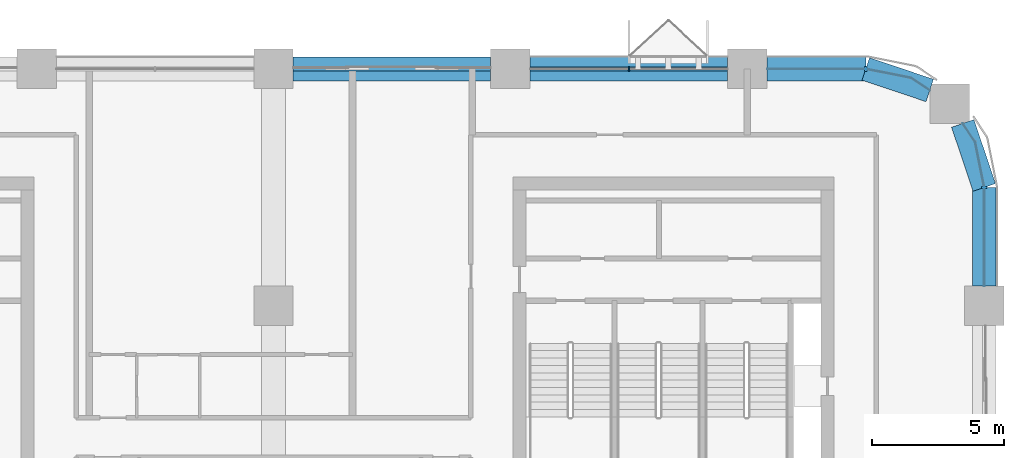
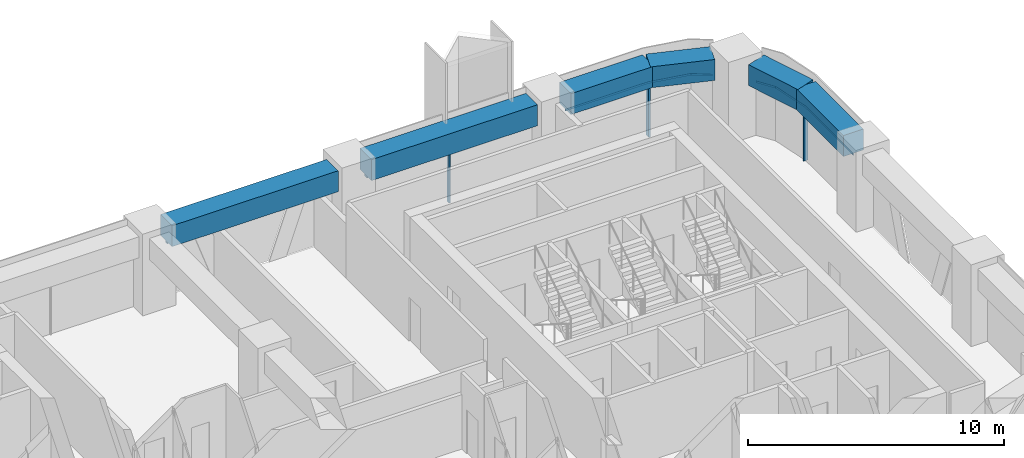
# One storey, part 5 of 14: 7 members, 6 beams, 4 elements without a shape of their own.
"""IFC4 building model written with IfcOpenShell, lengths in metres."""

from ifc_helpers import new_model, si_unit, direction, frame, origin, origin_2d, place, context, subcontext, project, spatial, polyline, rectangle, outline, extrude, material, material_profile, profile_set, type_object, element, aggregate, save


model = new_model("IFC4")

# Units and contexts
model_context = context("Model", 3, precision=1e-05, world=origin(), true_north=direction((0.0, 1.0)))
body_context = subcontext(model_context, "Body", "Model", "MODEL_VIEW")
ifc_project = project(units=[si_unit("LENGTHUNIT", "METRE"), si_unit("AREAUNIT", "SQUARE_METRE"), si_unit("VOLUMEUNIT", "CUBIC_METRE"), si_unit("PLANEANGLEUNIT", "RADIAN"), si_unit("MASSUNIT", "GRAM", prefix="KILO")], contexts=[model_context])

# Site, building, storey
site_placement = place(None, origin())
site = spatial("IfcSite", under=ifc_project, at=site_placement, CompositionType="ELEMENT")
building_placement = place(site_placement, origin())
building = spatial("IfcBuilding", under=site, at=building_placement, Name="Tessera Arch", CompositionType="ELEMENT")
storey_placement = place(building_placement, frame((0.0, 0.0, 142.699951171875)))
storey = spatial("IfcBuildingStorey", under=building, at=storey_placement, Name="L33", CompositionType="ELEMENT", Elevation=142.699951171875)

# Curtain wall, members
ifc_material_1 = material(Name="CW1 curtain wall")
curtain_wall_type_1 = type_object("IfcCurtainWallType", Name="CW1 curtain wall", PredefinedType="NOTDEFINED", material=ifc_material_1)
curtain_wall_1_placement = place(storey_placement, origin())
curtain_wall_1 = element("IfcCurtainWall", 1, at=curtain_wall_1_placement, inside=storey, type_object=curtain_wall_type_1, Name="CW1 curtain wall N54.0/1 L33", PredefinedType="NOTDEFINED")
ifc_material_2 = material(Name="Anodised aluminium pale metal", Category="aluminium")
ifc_material_profile_1 = material_profile(ifc_material_2, rectangle(XDim=0.159912109375, YDim=0.06005859375, at=origin_2d()), Name="AL 60x160")
ifc_profile_set_1 = profile_set([ifc_material_profile_1], Name="Anodised aluminium pale metal")
member_type_1 = type_object("IfcMemberType", Name="CW1 mullion", PredefinedType="MULLION", material=ifc_profile_set_1)
member_1_placement = place(storey_placement, frame((40.5, 54.0, 0.0), z_axis=(0.0, 0.0, 1.0), x_axis=(0.0, -1.0, 0.0)))
member_1 = element("IfcMember", 2, at=member_1_placement, type_object=member_type_1, Name="CW1 mullion N54.0/1 1", PredefinedType="MULLION", context=body_context, shape_type="SweptSolid", body=[
    extrude(rectangle(XDim=0.159912109375, YDim=0.06005859375, at=origin_2d()), origin(), (0.0, 0.0, 1.0), 2.5),
])
ifc_material_3 = material(Name="Anodised aluminium pale metal", Category="aluminium")
ifc_material_profile_2 = material_profile(ifc_material_3, rectangle(XDim=0.159912109375, YDim=0.10009765625, at=origin_2d()), Name="AL 160x100")
ifc_profile_set_2 = profile_set([ifc_material_profile_2], Name="Anodised aluminium pale metal")
member_type_2 = type_object("IfcMemberType", Name="CW1 transom", PredefinedType="USERDEFINED", material=ifc_profile_set_2)
member_2_placement = place(storey_placement, frame((44.25, 54.0, 2.550048828125), z_axis=(-1.0, 0.0, 0.0), x_axis=(0.0, -1.0, 0.0)))
member_2 = element("IfcMember", 3, at=member_2_placement, type_object=member_type_2, Name="CW1 transom N54.0/1 1.1", ObjectType="TRANSOM", PredefinedType="USERDEFINED", context=body_context, shape_type="SweptSolid", body=[
    extrude(rectangle(XDim=0.159912109375, YDim=0.10009765625, at=origin_2d()), origin(), (0.0, 0.0, 1.0), 7.5),
])
aggregate(curtain_wall_1, [member_1, member_2])

# Curtain wall, member
ifc_material_4 = material(Name="CW2 curtain wall")
curtain_wall_type_2 = type_object("IfcCurtainWallType", Name="CW2 curtain wall", PredefinedType="NOTDEFINED", material=ifc_material_4)
curtain_wall_2_placement = place(storey_placement, origin())
curtain_wall_2 = element("IfcCurtainWall", 4, at=curtain_wall_2_placement, inside=storey, type_object=curtain_wall_type_2, Name="CW2 curtain wall E54.27/1 L33", PredefinedType="NOTDEFINED")
ifc_material_5 = material(Name="Anodised aluminium pale metal", Category="aluminium")
ifc_material_profile_3 = material_profile(ifc_material_5, rectangle(XDim=0.199951171875, YDim=0.080078125, at=origin_2d()), Name="AL 80x200")
ifc_profile_set_3 = profile_set([ifc_material_profile_3], Name="Anodised aluminium pale metal")
member_type_3 = type_object("IfcMemberType", Name="CW2 mullion", PredefinedType="MULLION", material=ifc_profile_set_3)
member_3_placement = place(storey_placement, frame((54.0, 49.5, 0.0), z_axis=(0.0, 0.0, 1.0), x_axis=(-1.0, 0.0, 0.0)))
member_3 = element("IfcMember", 5, at=member_3_placement, type_object=member_type_3, Name="CW2 mullion E54.27/1 1", PredefinedType="MULLION", context=body_context, shape_type="SweptSolid", body=[
    extrude(rectangle(XDim=0.199951171875, YDim=0.080078125, at=origin_2d()), origin(), (0.0, 0.0, 1.0), 2.5),
])

curtain_wall_3_placement = place(storey_placement, origin())
curtain_wall_3 = element("IfcCurtainWall", 6, at=curtain_wall_3_placement, inside=storey, type_object=curtain_wall_type_2, Name="CW2 curtain wall N54.0/0 L33", PredefinedType="NOTDEFINED")
member_4_placement = place(storey_placement, frame((49.5, 54.0, 0.0), z_axis=(0.0, 0.0, 1.0), x_axis=(0.0, -1.0, 0.0)))
member_4 = element("IfcMember", 7, at=member_4_placement, type_object=member_type_3, Name="CW2 mullion N54.0/0 1", PredefinedType="MULLION", context=body_context, shape_type="SweptSolid", body=[
    extrude(rectangle(XDim=0.199951171875, YDim=0.080078125, at=origin_2d()), origin(), (0.0, 0.0, 1.0), 2.5),
])

# Member
ifc_material_6 = material(Name="Anodised aluminium pale metal", Category="aluminium")
ifc_material_profile_4 = material_profile(ifc_material_6, rectangle(XDim=0.199951171875, YDim=0.10009765625, at=origin_2d()), Name="AL 200x100")
ifc_profile_set_4 = profile_set([ifc_material_profile_4], Name="Anodised aluminium pale metal")
member_type_4 = type_object("IfcMemberType", Name="CW2 transom", PredefinedType="USERDEFINED", material=ifc_profile_set_4)
member_5_placement = place(storey_placement, frame((0.0, 0.0, 2.5)))
member_5 = element("IfcMember", 8, at=member_5_placement, type_object=member_type_4, Name="CW2 transom E54.27/1 1", ObjectType="TRANSOM", PredefinedType="USERDEFINED", context=body_context, shape_type="SweptSolid", body=[
    extrude(outline(polyline([(53.989990234375, 49.4990234375), (53.989990234375, 45.75), (54.010009765625, 45.75), (54.010009765625, 49.5009765625), (53.6669921875, 51.22607421875), (53.19140625, 51.9375), (53.1748046875, 51.926513671875), (53.648193359375, 51.21826171875), (53.989990234375, 49.4990234375)])), origin(), (0.0, 0.0, 1.0), 0.10009765625),
])

aggregate(curtain_wall_2, [member_3, member_5])

member_6_placement = place(storey_placement, frame((0.0, 0.0, 2.5)))
member_6 = element("IfcMember", 9, at=member_6_placement, type_object=member_type_4, Name="CW2 transom N54.0/0 1", ObjectType="TRANSOM", PredefinedType="USERDEFINED", context=body_context, shape_type="SweptSolid", body=[
    extrude(outline(polyline([(51.21826171875, 53.648193359375), (51.926513671875, 53.1748046875), (51.9375, 53.19140625), (51.22607421875, 53.6669921875), (49.5009765625, 54.010009765625), (45.75, 54.010009765625), (45.75, 53.989990234375), (49.4990234375, 53.989990234375), (51.21826171875, 53.648193359375)])), origin(), (0.0, 0.0, 1.0), 0.10009765625),
])

aggregate(curtain_wall_3, [member_4, member_6])

# Curtain wall, member
ifc_material_7 = material(Name="CW3 curtain wall")
curtain_wall_type_3 = type_object("IfcCurtainWallType", Name="CW3 curtain wall", PredefinedType="NOTDEFINED", material=ifc_material_7)
curtain_wall_4_placement = place(storey_placement, origin())
curtain_wall_4 = element("IfcCurtainWall", 10, at=curtain_wall_4_placement, inside=storey, type_object=curtain_wall_type_3, Name="CW3 curtain wall N54.0/2 L33", PredefinedType="NOTDEFINED")
ifc_material_8 = material(Name="Anodised aluminium pale metal", Category="aluminium")
ifc_material_profile_5 = material_profile(ifc_material_8, rectangle(XDim=0.139892578125, YDim=0.10009765625, at=origin_2d()), Name="AL 140x100")
ifc_profile_set_5 = profile_set([ifc_material_profile_5], Name="Anodised aluminium pale metal")
member_type_5 = type_object("IfcMemberType", Name="CW3 transom", PredefinedType="USERDEFINED", material=ifc_profile_set_5)
member_7_placement = place(storey_placement, frame((35.25, 54.0, 2.550048828125), z_axis=(-1.0, 0.0, 0.0), x_axis=(0.0, -1.0, 0.0)))
member_7 = element("IfcMember", 11, at=member_7_placement, type_object=member_type_5, Name="CW3 transom N54.0/2 1.1", ObjectType="TRANSOM", PredefinedType="USERDEFINED", context=body_context, shape_type="SweptSolid", body=[
    extrude(rectangle(XDim=0.139892578125, YDim=0.10009765625, at=origin_2d()), origin(), (0.0, 0.0, 1.0), 7.5),
])
aggregate(curtain_wall_4, [member_7])

# Beams
ifc_material_9 = material(Name="Concrete C70/85", Category="concrete")
ifc_material_profile_6 = material_profile(ifc_material_9, rectangle(XDim=0.89990234375, YDim=1.0, at=origin_2d()), Name="RC spandrel beam 900 x 1000 Concrete C70/85")
ifc_profile_set_6 = profile_set([ifc_material_profile_6], Name="Concrete C70/85")
beam_type = type_object("IfcBeamType", Name="RC spandrel beam 900 x 1000 Concrete C70/85", PredefinedType="BEAM", material=ifc_profile_set_6)
beam_1_placement = place(storey_placement, frame((54.0, 45.75, 3.10009765625), z_axis=(0.0, 1.0, 0.0), x_axis=(-1.0, 0.0, 0.0)))
element("IfcBeam", 12, at=beam_1_placement, inside=storey, type_object=beam_type, Name="Spandrel beam L33 E54.27/1.1", PredefinedType="BEAM", context=body_context, shape_type="SweptSolid", body=[
    extrude(rectangle(XDim=0.89990234375, YDim=1.0, at=origin_2d()), origin(), (0.0, 0.0, 1.0), 3.75),
])
for number, where, z_axis, x_axis, name in (
    (13, (54.0, 49.5, 3.10009765625), (-0.31842525032, 0.947947973234, 0.0), (-0.947947973234, -0.31842525032, 0.0), "Spandrel beam L33 E54.27/1.2"),
    (14, (51.931884765625, 53.18310546875, 3.10009765625), (-0.947947973234, 0.31842525032, 0.0), (-0.31842525032, -0.947947973234, 0.0), "Spandrel beam L33 N54.0/0.1"),
):
    element("IfcBeam", number, at=place(storey_placement, frame(where, z_axis=z_axis, x_axis=x_axis)), inside=storey, type_object=beam_type, Name=name, PredefinedType="BEAM", context=body_context, shape_type="SweptSolid", body=[
        extrude(rectangle(XDim=0.89990234375, YDim=1.0, at=origin_2d()), origin(), (0.0, 0.0, 1.0), 2.5654296875),
    ])
beam_2_placement = place(storey_placement, frame((49.5, 54.0, 3.10009765625), z_axis=(-1.0, 0.0, 0.0), x_axis=(0.0, -1.0, 0.0)))
element("IfcBeam", 15, at=beam_2_placement, inside=storey, type_object=beam_type, Name="Spandrel beam L33 N54.0/0.2", PredefinedType="BEAM", context=body_context, shape_type="SweptSolid", body=[
    extrude(rectangle(XDim=0.89990234375, YDim=1.0, at=origin_2d()), origin(), (0.0, 0.0, 1.0), 3.75),
])
for number, where, z_axis, x_axis, name in (
    (16, (44.25, 54.0, 3.10009765625), (-1.0, 0.0, 0.0), (0.0, -1.0, 0.0), "Spandrel beam L33 N54.0/1"),
    (17, (35.25, 54.0, 3.10009765625), (-1.0, 0.0, 0.0), (0.0, -1.0, 0.0), "Spandrel beam L33 N54.0/2"),
):
    element("IfcBeam", number, at=place(storey_placement, frame(where, z_axis=z_axis, x_axis=x_axis)), inside=storey, type_object=beam_type, Name=name, PredefinedType="BEAM", context=body_context, shape_type="SweptSolid", body=[
        extrude(rectangle(XDim=0.89990234375, YDim=1.0, at=origin_2d()), origin(), (0.0, 0.0, 1.0), 7.5),
    ])

save(model, "model.ifc")
